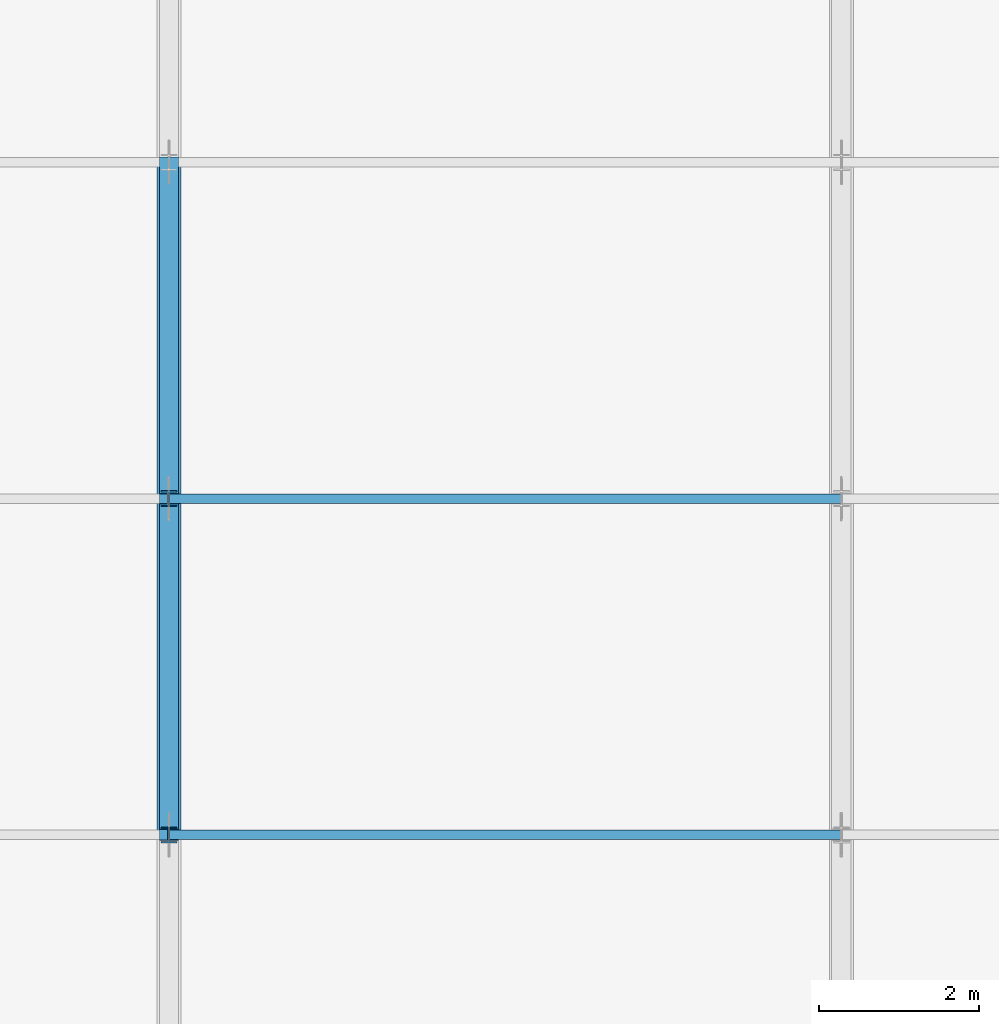
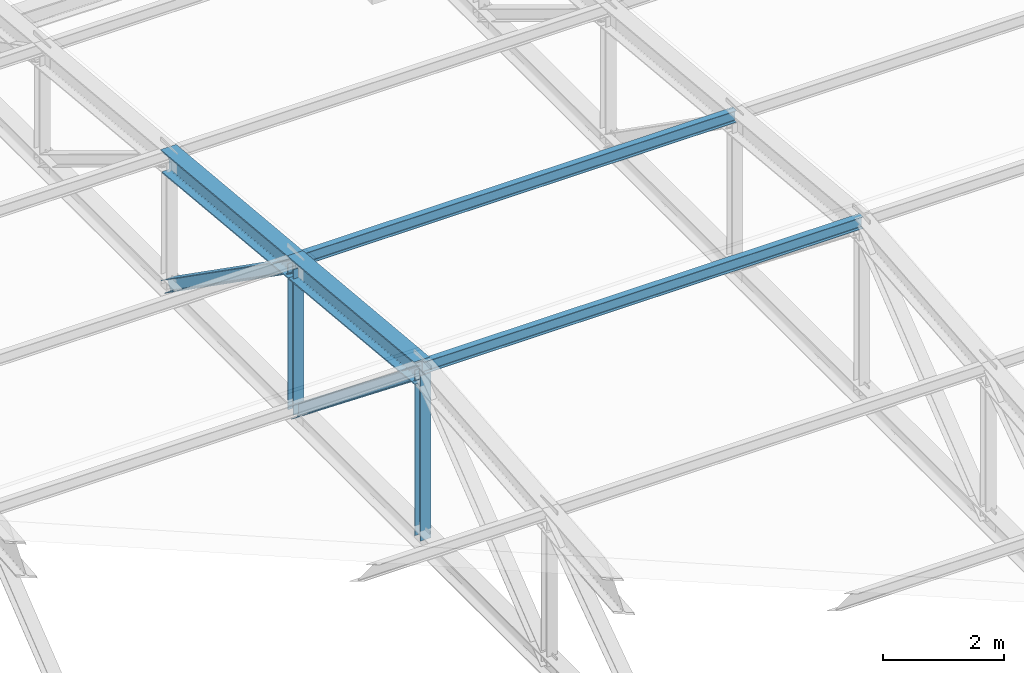
# One storey, part 17 of 74: 6 members, 2 beams.
"""IFC4 building model written with IfcOpenShell, lengths in metres."""

from ifc_helpers import new_model, si_unit, derived_unit, direction, frame, origin, origin_2d, place, context, subcontext, project, spatial, i_section, extrude, material, material_profile, profile_set, type_object, element, save


model = new_model("IFC4")

# Units and contexts
model_context = context("Model", 3, precision=1e-05, world=origin(), true_north=direction((0.0, 1.0)))
body_context = subcontext(model_context, "Body", "Model", "MODEL_VIEW")
ifc_project = project(units=[si_unit("LENGTHUNIT", "METRE"), si_unit("AREAUNIT", "SQUARE_METRE"), si_unit("VOLUMEUNIT", "CUBIC_METRE"), si_unit("PLANEANGLEUNIT", "RADIAN"), si_unit("MASSUNIT", "GRAM", prefix="KILO"), derived_unit("THERMALTRANSMITTANCEUNIT", [(si_unit("POWERUNIT", "WATT"), 1), (si_unit("LENGTHUNIT", "METRE"), -2), (si_unit("THERMODYNAMICTEMPERATUREUNIT", "KELVIN"), -1)])], contexts=[model_context])

# Site, building, storey
site_placement = place(None, origin())
site = spatial("IfcSite", under=ifc_project, at=site_placement, CompositionType="ELEMENT")
building_placement = place(site_placement, origin())
building = spatial("IfcBuilding", under=site, at=building_placement, Name="Elbkamm Science Centre", CompositionType="ELEMENT")
storey_placement = place(building_placement, frame((0.0, 0.0, 14.39990234375)))
storey = spatial("IfcBuildingStorey", under=building, at=storey_placement, Name="L03", CompositionType="ELEMENT", Elevation=14.39990234375)

# Beams
ifc_material = material(Name="Steel EN 10025-2 S355J2", Category="steel")
ifc_material_profile_1 = material_profile(ifc_material, i_section(OverallWidth=0.300048828125, OverallDepth=0.449951171875, WebThickness=0.013916015625, FlangeThickness=0.02587890625, FilletRadius=0.027099609375, at=origin_2d()), Name="HEB 450")
ifc_profile_set_1 = profile_set([ifc_material_profile_1], Name="Steel EN 10025-2 S355J2")
beam_type = type_object("IfcBeamType", Name="BM-STL-HEB450", PredefinedType="BEAM", material=ifc_profile_set_1)
for number, where, z_axis, x_axis, name in (
    (1, (84.0, 16.800048828125, 4.7451171875), (0.0, 0.995562844443, -0.094099005119), (-1.0, 0.0, 0.0), "Theatre Steel Truss 03 Top Chord 5"),
    (2, (84.0, 21.0, 4.34814453125), (0.0, 0.995562844443, -0.094099005119), (-1.0, 0.0, 0.0), "Theatre Steel Truss 03 Top Chord 6"),
):
    element("IfcBeam", number, at=place(storey_placement, frame(where, z_axis=z_axis, x_axis=x_axis)), inside=storey, type_object=beam_type, Name=name, PredefinedType="BEAM", context=body_context, shape_type="SweptSolid", body=[
        extrude(i_section(OverallWidth=0.300048828125, OverallDepth=0.449951171875, WebThickness=0.013916015625, FlangeThickness=0.02587890625, FilletRadius=0.027099609375, at=origin_2d()), origin(), (0.0, 0.0, 1.0), 4.21875),
    ])

# Members
ifc_material_profile_2 = material_profile(ifc_material, i_section(OverallWidth=0.239990234375, OverallDepth=0.22998046875, WebThickness=0.007568359375, FlangeThickness=0.011962890625, FilletRadius=0.02099609375, at=origin_2d()), Name="HEA 240")
ifc_profile_set_2 = profile_set([ifc_material_profile_2], Name="Steel EN 10025-2 S355J2")
member_type_1 = type_object("IfcMemberType", Name="MEM-BRACE-HEA240", PredefinedType="BRACE", material=ifc_profile_set_2)
member_1_placement = place(storey_placement, frame((84.0, 16.800048828125, 4.7451171875), z_axis=(0.0, 0.782228850419, -0.62299119221), x_axis=(-1.0, 0.0, 0.0)))
element("IfcMember", 3, at=member_1_placement, inside=storey, type_object=member_type_1, Name="Theatre Steel Truss 03 Diagonal Brace 5", PredefinedType="BRACE", context=body_context, shape_type="SweptSolid", body=[
    extrude(i_section(OverallWidth=0.239990234375, OverallDepth=0.22998046875, WebThickness=0.007568359375, FlangeThickness=0.011962890625, FilletRadius=0.02099609375, at=origin_2d()), origin(), (0.0, 0.0, 1.0), 5.369140625),
])
member_2_placement = place(storey_placement, frame((84.0, 21.0, 4.34814453125), z_axis=(0.0, 0.818495853112, -0.574512435408), x_axis=(-1.0, 0.0, 0.0)))
element("IfcMember", 4, at=member_2_placement, inside=storey, type_object=member_type_1, Name="Theatre Steel Truss 03 Diagonal Brace 6", PredefinedType="BRACE", context=body_context, shape_type="SweptSolid", body=[
    extrude(i_section(OverallWidth=0.239990234375, OverallDepth=0.22998046875, WebThickness=0.007568359375, FlangeThickness=0.011962890625, FilletRadius=0.02099609375, at=origin_2d()), origin(), (0.0, 0.0, 1.0), 5.13134765625),
])
ifc_material_profile_3 = material_profile(ifc_material, i_section(OverallWidth=0.1201171875, OverallDepth=0.239990234375, WebThickness=0.006103515625, FlangeThickness=0.009765625, FilletRadius=0.014892578125, at=origin_2d()), Name="IPE 240")
ifc_profile_set_3 = profile_set([ifc_material_profile_3], Name="Steel EN 10025-2 S355J2")
member_type_2 = type_object("IfcMemberType", Name="MEM-PURLIN-IPE240", PredefinedType="PURLIN", material=ifc_profile_set_3)
for number, where, z_axis, x_axis, name in (
    (5, (84.0, 16.800048828125, 4.84521484375), (1.0, 0.0, 0.0), (0.0, 1.0, 0.0), "Theatre Roof Purlin Bay 3-5"),
    (6, (84.0, 21.0, 4.447998046875), (1.0, 0.0, 0.0), (0.0, 1.0, 0.0), "Theatre Roof Purlin Bay 3-6"),
):
    element("IfcMember", number, at=place(storey_placement, frame(where, z_axis=z_axis, x_axis=x_axis)), inside=storey, type_object=member_type_2, Name=name, PredefinedType="PURLIN", context=body_context, shape_type="SweptSolid", body=[
        extrude(i_section(OverallWidth=0.1201171875, OverallDepth=0.239990234375, WebThickness=0.006103515625, FlangeThickness=0.009765625, FilletRadius=0.014892578125, at=origin_2d()), origin(), (0.0, 0.0, 1.0), 8.39990234375),
    ])
ifc_material_profile_4 = material_profile(ifc_material, i_section(OverallWidth=0.199951171875, OverallDepth=0.199951171875, WebThickness=0.009033203125, FlangeThickness=0.014892578125, FilletRadius=0.01806640625, at=origin_2d()), Name="HEB 200")
ifc_profile_set_4 = profile_set([ifc_material_profile_4], Name="Steel EN 10025-2 S355J2")
member_type_3 = type_object("IfcMemberType", Name="MEM-STRUT-HEB200", PredefinedType="STRUT", material=ifc_profile_set_4)
member_3_placement = place(storey_placement, frame((84.0, 16.800048828125, 1.400146484375), z_axis=(0.0, 0.0, 1.0), x_axis=(1.0, 0.0, 0.0)))
element("IfcMember", 7, at=member_3_placement, inside=storey, type_object=member_type_3, Name="Theatre Steel Truss 03 Vertical Strut 5", PredefinedType="STRUT", context=body_context, shape_type="SweptSolid", body=[
    extrude(i_section(OverallWidth=0.199951171875, OverallDepth=0.199951171875, WebThickness=0.009033203125, FlangeThickness=0.014892578125, FilletRadius=0.01806640625, at=origin_2d()), origin(), (0.0, 0.0, 1.0), 3.344970703125),
])
member_4_placement = place(storey_placement, frame((84.0, 21.0, 1.400146484375), z_axis=(0.0, 0.0, 1.0), x_axis=(1.0, 0.0, 0.0)))
element("IfcMember", 8, at=member_4_placement, inside=storey, type_object=member_type_3, Name="Theatre Steel Truss 03 Vertical Strut 6", PredefinedType="STRUT", context=body_context, shape_type="SweptSolid", body=[
    extrude(i_section(OverallWidth=0.199951171875, OverallDepth=0.199951171875, WebThickness=0.009033203125, FlangeThickness=0.014892578125, FilletRadius=0.01806640625, at=origin_2d()), origin(), (0.0, 0.0, 1.0), 2.947998046875),
])

save(model, "model.ifc")
